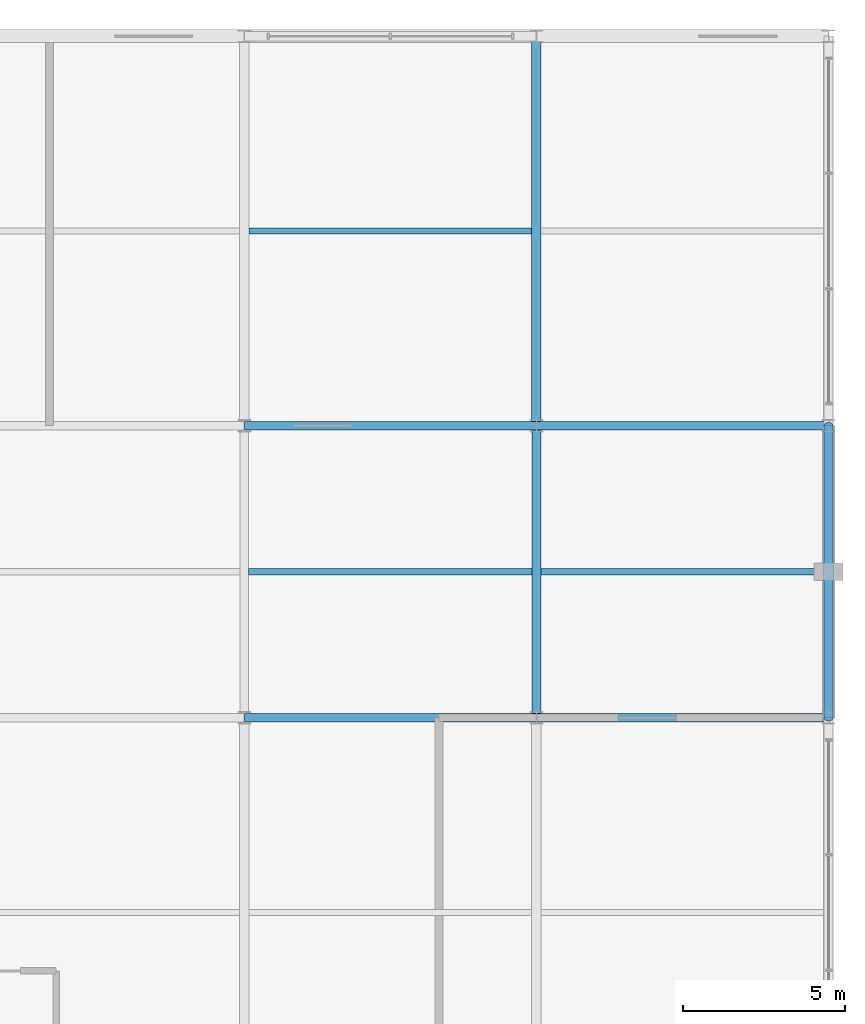
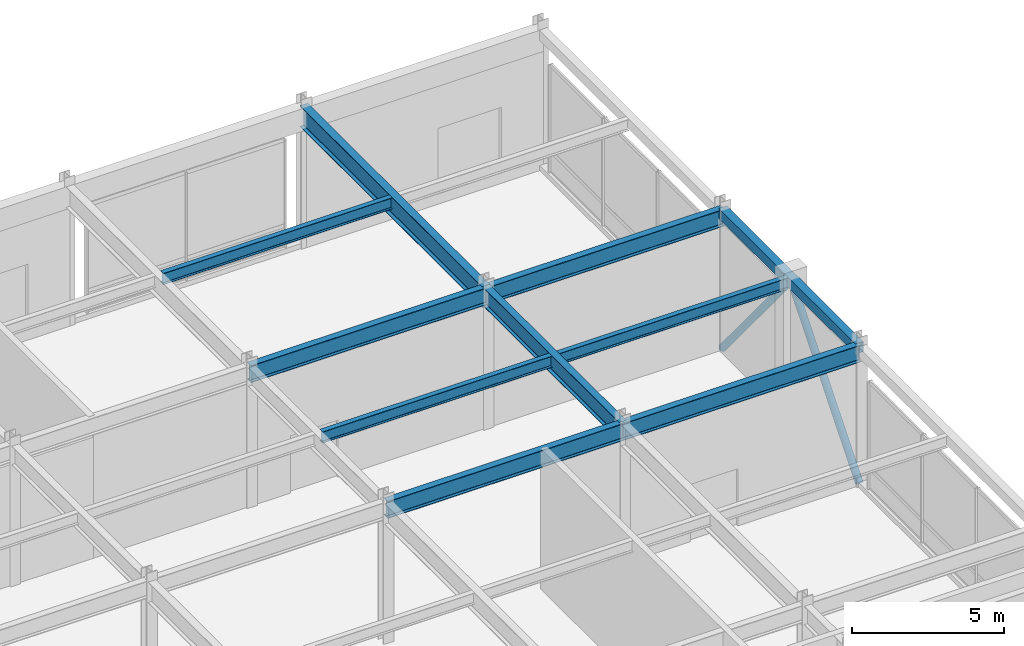
# One storey, part 80 of 108: 10 beams, 2 members.
"""IFC4 building model written with IfcOpenShell, lengths in metres."""

from ifc_helpers import new_model, si_unit, direction, frame, origin, origin_2d, place, context, subcontext, project, spatial, hollow_rectangle, hollow_circle, i_section, extrude, material, material_profile, profile_set, type_object, element, save


model = new_model("IFC4")

# Units and contexts
model_context = context("Model", 3, precision=1e-05, world=origin(), true_north=direction((0.0, 1.0)))
body_context = subcontext(model_context, "Body", "Model", "MODEL_VIEW")
ifc_project = project(units=[si_unit("LENGTHUNIT", "METRE"), si_unit("AREAUNIT", "SQUARE_METRE"), si_unit("VOLUMEUNIT", "CUBIC_METRE"), si_unit("PLANEANGLEUNIT", "RADIAN"), si_unit("MASSUNIT", "GRAM", prefix="KILO")], contexts=[model_context])

# Site, building, storey
site_placement = place(None, origin())
site = spatial("IfcSite", under=ifc_project, at=site_placement, CompositionType="ELEMENT")
building_placement = place(site_placement, origin())
building = spatial("IfcBuilding", under=site, at=building_placement, Name="Kaldorvane Square Convention Centre", CompositionType="ELEMENT")
storey_placement = place(building_placement, frame((0.0, 0.0, 12.0)))
storey = spatial("IfcBuildingStorey", under=building, at=storey_placement, Name="L02", CompositionType="ELEMENT", Elevation=12.0)

# Beams
ifc_material_1 = material(Name="Steel ASTM A992 Gr. 50", Category="steel")
ifc_material_profile_1 = material_profile(ifc_material_1, i_section(OverallWidth=0.25439453125, OverallDepth=0.6880950927734375, WebThickness=0.0131072998046875, FlangeThickness=0.0211029052734375, FilletRadius=0.01519775390625, at=origin_2d()), Name="W27X102")
ifc_profile_set_1 = profile_set([ifc_material_profile_1], Name="Steel ASTM A992 Gr. 50")
beam_type_1 = type_object("IfcBeamType", Name="BM-GR-W27X102", PredefinedType="BEAM", material=ifc_profile_set_1)
for number, where, z_axis, x_axis, name in (
    (1, (156.0, 96.0, 5.3018951416015625), (1.0, 0.0, 0.0), (0.0, 1.0, 0.0), "Primary Girder (L02)"),
    (2, (165.0, 96.0, 5.3018951416015625), (1.0, 0.0, 0.0), (0.0, 1.0, 0.0), "Primary Girder (L02)"),
    (3, (156.0, 105.0, 5.3018951416015625), (1.0, 0.0, 0.0), (0.0, 1.0, 0.0), "Primary Girder (L02)"),
    (4, (165.0, 105.0, 5.3018951416015625), (1.0, 0.0, 0.0), (0.0, 1.0, 0.0), "Primary Girder (L02)"),
):
    element("IfcBeam", number, at=place(storey_placement, frame(where, z_axis=z_axis, x_axis=x_axis)), inside=storey, type_object=beam_type_1, Name=name, PredefinedType="BEAM", context=body_context, shape_type="SweptSolid", body=[
        extrude(i_section(OverallWidth=0.25439453125, OverallDepth=0.6880950927734375, WebThickness=0.0131072998046875, FlangeThickness=0.0211029052734375, FilletRadius=0.01519775390625, at=origin_2d()), origin(), (0.0, 0.0, 1.0), 9.0),
    ])
ifc_material_profile_2 = material_profile(ifc_material_1, i_section(OverallWidth=0.2666015625, OverallDepth=0.762298583984375, WebThickness=0.014404296875, FlangeThickness=0.0216064453125, FilletRadius=0.0164947509765625, at=origin_2d()), Name="W30X116")
ifc_profile_set_2 = profile_set([ifc_material_profile_2], Name="Steel ASTM A992 Gr. 50")
beam_type_2 = type_object("IfcBeamType", Name="BM-GR-W30X116", PredefinedType="BEAM", material=ifc_profile_set_2)
beam_1_placement = place(storey_placement, frame((165.0, 96.0, 5.264801025390625), z_axis=(0.0, 1.0, 0.0), x_axis=(-1.0, 0.0, 0.0)))
element("IfcBeam", 5, at=beam_1_placement, inside=storey, type_object=beam_type_2, Name="Transverse Girder (L02)", PredefinedType="BEAM", context=body_context, shape_type="SweptSolid", body=[
    extrude(i_section(OverallWidth=0.2666015625, OverallDepth=0.762298583984375, WebThickness=0.014404296875, FlangeThickness=0.0216064453125, FilletRadius=0.0164947509765625, at=origin_2d()), origin(), (0.0, 0.0, 1.0), 9.0),
])
ifc_material_profile_3 = material_profile(ifc_material_1, i_section(OverallWidth=0.292999267578125, OverallDepth=0.845794677734375, WebThickness=0.0153961181640625, FlangeThickness=0.0243988037109375, FilletRadius=0.0178070068359375, at=origin_2d()), Name="W33X141")
ifc_profile_set_3 = profile_set([ifc_material_profile_3], Name="Steel ASTM A992 Gr. 50")
beam_type_3 = type_object("IfcBeamType", Name="BM-GR-W33X141", PredefinedType="BEAM", material=ifc_profile_set_3)
beam_2_placement = place(storey_placement, frame((165.0, 105.0, 5.2230987548828125), z_axis=(0.0, 1.0, 0.0), x_axis=(-1.0, 0.0, 0.0)))
element("IfcBeam", 6, at=beam_2_placement, inside=storey, type_object=beam_type_3, Name="Transverse Girder (L02)", PredefinedType="BEAM", context=body_context, shape_type="SweptSolid", body=[
    extrude(i_section(OverallWidth=0.292999267578125, OverallDepth=0.845794677734375, WebThickness=0.0153961181640625, FlangeThickness=0.0243988037109375, FilletRadius=0.0178070068359375, at=origin_2d()), origin(), (0.0, 0.0, 1.0), 12.0),
])
ifc_material_profile_4 = material_profile(ifc_material_1, i_section(OverallWidth=0.1912994384765625, OverallDepth=0.4600067138671875, WebThickness=0.0099029541015625, FlangeThickness=0.0160064697265625, FilletRadius=0.01019287109375, at=origin_2d()), Name="W18X55")
ifc_profile_set_4 = profile_set([ifc_material_profile_4], Name="Steel ASTM A992 Gr. 50")
beam_type_4 = type_object("IfcBeamType", Name="BM-JS-W18X55", PredefinedType="JOIST", material=ifc_profile_set_4)
beam_3_placement = place(storey_placement, frame((156.13330078125, 100.5, 5.4160003662109375), z_axis=(1.0, 0.0, 0.0), x_axis=(0.0, 1.0, 0.0)))
element("IfcBeam", 7, at=beam_3_placement, inside=storey, type_object=beam_type_4, Name="Secondary Floor Joist (L02)", PredefinedType="JOIST", context=body_context, shape_type="SweptSolid", body=[
    extrude(i_section(OverallWidth=0.1912994384765625, OverallDepth=0.4600067138671875, WebThickness=0.0099029541015625, FlangeThickness=0.0160064697265625, FilletRadius=0.01019287109375, at=origin_2d()), origin(), (0.0, 0.0, 1.0), 8.7333984375),
])
beam_4_placement = place(storey_placement, frame((165.13330078125, 100.5, 5.4160003662109375), z_axis=(1.0, 0.0, 0.0), x_axis=(0.0, 1.0, 0.0)))
element("IfcBeam", 8, at=beam_4_placement, inside=storey, type_object=beam_type_4, Name="Secondary Floor Joist (L02)", PredefinedType="JOIST", context=body_context, shape_type="SweptSolid", body=[
    extrude(i_section(OverallWidth=0.1912994384765625, OverallDepth=0.4600067138671875, WebThickness=0.0099029541015625, FlangeThickness=0.0160064697265625, FilletRadius=0.01019287109375, at=origin_2d()), origin(), (0.0, 0.0, 1.0), 8.71429443359375),
])
beam_5_placement = place(storey_placement, frame((156.14649963378906, 111.0, 5.4160003662109375), z_axis=(1.0, 0.0, 0.0), x_axis=(0.0, 1.0, 0.0)))
element("IfcBeam", 9, at=beam_5_placement, inside=storey, type_object=beam_type_4, Name="Secondary Floor Joist (L02)", PredefinedType="JOIST", context=body_context, shape_type="SweptSolid", body=[
    extrude(i_section(OverallWidth=0.1912994384765625, OverallDepth=0.4600067138671875, WebThickness=0.0099029541015625, FlangeThickness=0.0160064697265625, FilletRadius=0.01019287109375, at=origin_2d()), origin(), (0.0, 0.0, 1.0), 8.707000732421875),
])
ifc_material_2 = material(Name="Steel ASTM A500 Gr. C", Category="steel")
ifc_material_profile_5 = material_profile(ifc_material_2, hollow_rectangle(XDim=0.3047943115234375, YDim=0.406402587890625, WallThickness=0.0117950439453125, at=origin_2d()), Name="HSS16X12X1/2")
ifc_profile_set_5 = profile_set([ifc_material_profile_5], Name="Steel ASTM A500 Gr. C")
beam_type_5 = type_object("IfcBeamType", Name="BM-SP-HSS16", PredefinedType="SPANDREL", material=ifc_profile_set_5)
beam_6_placement = place(storey_placement, frame((174.0, 96.0, 5.4427947998046875), z_axis=(0.0, 1.0, 0.0), x_axis=(-1.0, 0.0, 0.0)))
element("IfcBeam", 10, at=beam_6_placement, inside=storey, type_object=beam_type_5, Name="End Spandrel (L02)", PredefinedType="SPANDREL", context=body_context, shape_type="SweptSolid", body=[
    extrude(hollow_rectangle(XDim=0.3047943115234375, YDim=0.406402587890625, WallThickness=0.0117950439453125, at=origin_2d()), origin(), (0.0, 0.0, 1.0), 9.0),
])

# Members
ifc_material_profile_6 = material_profile(ifc_material_2, hollow_circle(Radius=0.1365509033203125, WallThickness=0.0117950439453125, at=origin_2d()), Name="HSS10.750X0.500")
ifc_profile_set_6 = profile_set([ifc_material_profile_6], Name="Steel ASTM A500 Gr. C")
member_type = type_object("IfcMemberType", Name="MB-BR-CHS10", PredefinedType="BRACE", material=ifc_profile_set_6)
for number, where, z_axis, x_axis, name in (
    (11, (174.0, 96.0, 0.0), (0.0, 0.637199383553, 0.770698998053), (-1.0, 0.0, 0.0), "Seismic Chevron Brace X174-B2A (L02)"),
    (12, (174.0, 105.0, 0.0), (0.0, -0.637199383553, 0.770698998053), (1.0, 0.0, 0.0), "Seismic Chevron Brace X174-B2B (L02)"),
):
    element("IfcMember", number, at=place(storey_placement, frame(where, z_axis=z_axis, x_axis=x_axis)), inside=storey, type_object=member_type, Name=name, PredefinedType="BRACE", context=body_context, shape_type="SweptSolid", body=[
        extrude(hollow_circle(Radius=0.1365509033203125, WallThickness=0.0117950439453125, at=origin_2d()), origin(), (0.0, 0.0, 1.0), 7.0621490478515625),
    ])

save(model, "model.ifc")
